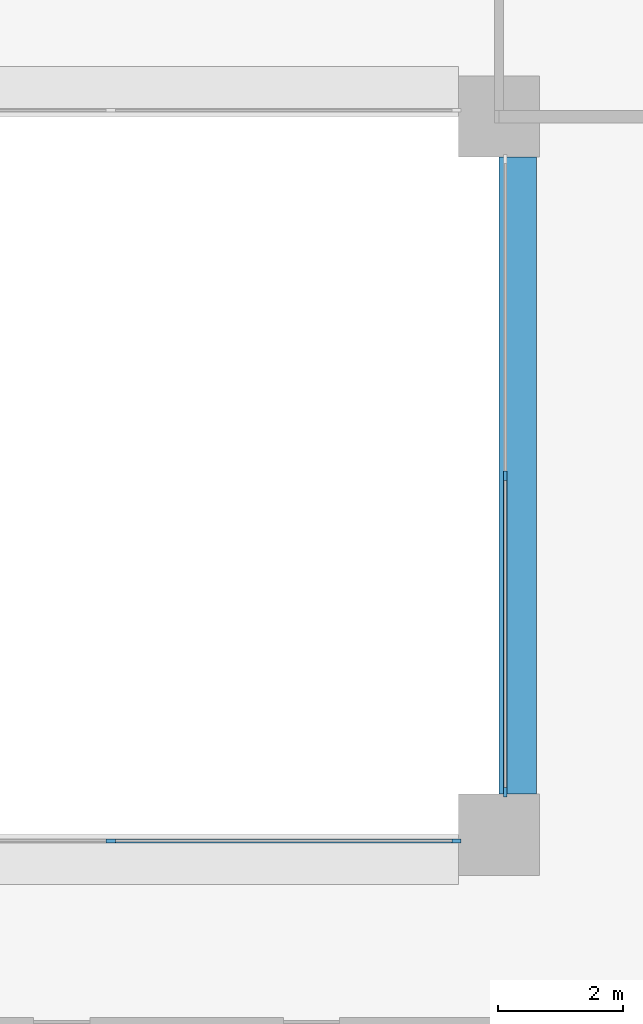
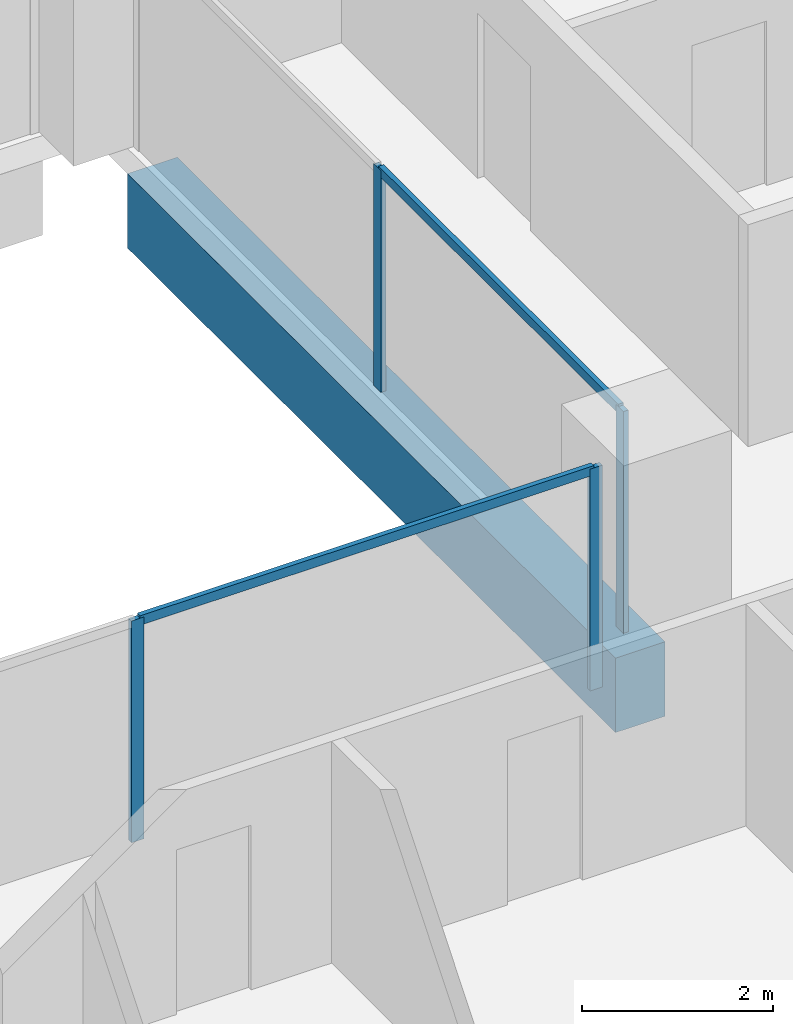
# One storey, part 4 of 16: 6 members, 1 beam, 2 elements without a shape of their own.
"""IFC4 building model written with IfcOpenShell, lengths in metres."""

from ifc_helpers import new_model, si_unit, direction, frame, origin, origin_2d, place, context, subcontext, project, spatial, rectangle, extrude, material, layer, layer_set, material_profile, profile_set, type_object, element, aggregate, save


model = new_model("IFC4")

# Units and contexts
model_context = context("Model", 3, precision=1e-05, world=origin(), true_north=direction((0.0, 1.0)))
body_context = subcontext(model_context, "Body", "Model", "MODEL_VIEW")
ifc_project = project(units=[si_unit("LENGTHUNIT", "METRE"), si_unit("AREAUNIT", "SQUARE_METRE"), si_unit("VOLUMEUNIT", "CUBIC_METRE"), si_unit("PLANEANGLEUNIT", "RADIAN"), si_unit("MASSUNIT", "GRAM", prefix="KILO")], contexts=[model_context])

# Site, building, storey
site_placement = place(None, origin())
site = spatial("IfcSite", under=ifc_project, at=site_placement, CompositionType="ELEMENT")
building_placement = place(site_placement, origin())
building = spatial("IfcBuilding", under=site, at=building_placement, Name="Brigalow Station Residences", CompositionType="ELEMENT")
storey_placement = place(building_placement, frame((0.0, 0.0, 108.75)))
storey = spatial("IfcBuildingStorey", under=building, at=storey_placement, Name="L31", CompositionType="ELEMENT", Elevation=108.75)

# Beam
ifc_material_1 = material(Name="Concrete C65", Category="concrete")
ifc_material_profile_1 = material_profile(ifc_material_1, rectangle(XDim=0.60009765625, YDim=0.949951171875, at=origin_2d()), Name="RC600x950")
ifc_profile_set_1 = profile_set([ifc_material_profile_1], Name="Concrete C65")
beam_type = type_object("IfcBeamType", Name="ATRIUM EDGE GIRDER 600x950 C65", PredefinedType="BEAM", material=ifc_profile_set_1)
beam_placement = place(storey_placement, frame((45.300048828125, 24.64990234375, -0.794921875), z_axis=(0.0, 1.0, 0.0), x_axis=(-1.0, 0.0, 0.0)))
element("IfcBeam", 1, at=beam_placement, inside=storey, type_object=beam_type, Name="ATRIUM EDGE GIRDER 5 L31", PredefinedType="BEAM", context=body_context, shape_type="SweptSolid", body=[
    extrude(rectangle(XDim=0.60009765625, YDim=0.949951171875, at=origin_2d()), origin(), (0.0, 0.0, 1.0), 10.2001953125),
])

# Curtain wall, members
ifc_material_2 = material(Name="Aluminium", Category="aluminium")
ifc_layer = layer(ifc_material_2, 0.14990234375)
ifc_layer_set = layer_set([ifc_layer], Name="ATRIUM FIRE-RATED GLAZING CURTAIN WALL")
curtain_wall_type = type_object("IfcCurtainWallType", Name="ATRIUM FIRE-RATED GLAZING CURTAIN WALL", PredefinedType="NOTDEFINED", material=ifc_layer_set)
curtain_wall_1_placement = place(storey_placement, origin())
curtain_wall_1 = element("IfcCurtainWall", 2, at=curtain_wall_1_placement, inside=storey, type_object=curtain_wall_type, Name="L31/cw/atrium-S", PredefinedType="NOTDEFINED")
ifc_material_3 = material(Name="Aluminium", Category="aluminium")
ifc_material_profile_2 = material_profile(ifc_material_3, rectangle(XDim=0.06005859375, YDim=0.14990234375, at=origin_2d()), Name="ATRIUM FIRE-RATED GLAZING MULLION 60x150")
ifc_profile_set_2 = profile_set([ifc_material_profile_2], Name="Aluminium")
member_type_1 = type_object("IfcMemberType", Name="ATRIUM FIRE-RATED GLAZING MULLION 60x150", PredefinedType="MULLION", material=ifc_profile_set_2)
member_1_placement = place(storey_placement, frame((38.783203125, 23.89990234375, 0.0), z_axis=(0.0, 0.0, 1.0), x_axis=(0.0, 1.0, 0.0)))
member_1 = element("IfcMember", 3, at=member_1_placement, type_object=member_type_1, Name="L31/cw/atrium-S/M02", PredefinedType="MULLION", context=body_context, shape_type="SweptSolid", body=[
    extrude(rectangle(XDim=0.06005859375, YDim=0.14990234375, at=origin_2d()), origin(), (0.0, 0.0, 1.0), 2.830078125),
])
member_2_placement = place(storey_placement, frame((44.320068359375, 23.89990234375, 0.0), z_axis=(0.0, 0.0, 1.0), x_axis=(0.0, 1.0, 0.0)))
member_2 = element("IfcMember", 4, at=member_2_placement, type_object=member_type_1, Name="L31/cw/atrium-S/M03", PredefinedType="MULLION", context=body_context, shape_type="SweptSolid", body=[
    extrude(rectangle(XDim=0.06005859375, YDim=0.14990234375, at=origin_2d()), origin(), (0.0, 0.0, 1.0), 2.830078125),
])

curtain_wall_2_placement = place(storey_placement, origin())
curtain_wall_2 = element("IfcCurtainWall", 5, at=curtain_wall_2_placement, inside=storey, type_object=curtain_wall_type, Name="L31/cw/atrium-E", PredefinedType="NOTDEFINED")
member_3_placement = place(storey_placement, frame((45.10009765625, 24.679931640625, 0.0), z_axis=(0.0, 0.0, 1.0), x_axis=(-1.0, 0.0, 0.0)))
member_3 = element("IfcMember", 6, at=member_3_placement, type_object=member_type_1, Name="L31/cw/atrium-E/M00", PredefinedType="MULLION", context=body_context, shape_type="SweptSolid", body=[
    extrude(rectangle(XDim=0.06005859375, YDim=0.14990234375, at=origin_2d()), origin(), (0.0, 0.0, 1.0), 2.830078125),
])
member_4_placement = place(storey_placement, frame((45.10009765625, 29.75, 0.0), z_axis=(0.0, 0.0, 1.0), x_axis=(-1.0, 0.0, 0.0)))
member_4 = element("IfcMember", 7, at=member_4_placement, type_object=member_type_1, Name="L31/cw/atrium-E/M01", PredefinedType="MULLION", context=body_context, shape_type="SweptSolid", body=[
    extrude(rectangle(XDim=0.06005859375, YDim=0.14990234375, at=origin_2d()), origin(), (0.0, 0.0, 1.0), 2.830078125),
])

# Member
ifc_material_4 = material(Name="Aluminium", Category="aluminium")
ifc_material_profile_3 = material_profile(ifc_material_4, rectangle(XDim=0.06005859375, YDim=0.1201171875, at=origin_2d()), Name="ATRIUM FIRE-RATED GLAZING TRANSOM 60x120")
ifc_profile_set_3 = profile_set([ifc_material_profile_3], Name="Aluminium")
member_type_2 = type_object("IfcMemberType", Name="ATRIUM FIRE-RATED GLAZING TRANSOM 60x120", PredefinedType="USERDEFINED", material=ifc_profile_set_3)
member_5_placement = place(storey_placement, frame((38.813232421875, 23.89990234375, 2.800048828125), z_axis=(1.0, 0.0, 0.0), x_axis=(0.0, 1.0, 0.0)))
member_5 = element("IfcMember", 8, at=member_5_placement, type_object=member_type_2, Name="L31/cw/atrium-S/T02-00", ObjectType="TRANSOM", PredefinedType="USERDEFINED", context=body_context, shape_type="SweptSolid", body=[
    extrude(rectangle(XDim=0.06005859375, YDim=0.1201171875, at=origin_2d()), origin(), (0.0, 0.0, 1.0), 5.476806640625),
])

aggregate(curtain_wall_1, [member_1, member_2, member_5])

member_6_placement = place(storey_placement, frame((45.10009765625, 24.7099609375, 2.800048828125), z_axis=(0.0, 1.0, 0.0), x_axis=(-1.0, 0.0, 0.0)))
member_6 = element("IfcMember", 9, at=member_6_placement, type_object=member_type_2, Name="L31/cw/atrium-E/T00-00", ObjectType="TRANSOM", PredefinedType="USERDEFINED", context=body_context, shape_type="SweptSolid", body=[
    extrude(rectangle(XDim=0.06005859375, YDim=0.1201171875, at=origin_2d()), origin(), (0.0, 0.0, 1.0), 5.010009765625),
])

aggregate(curtain_wall_2, [member_3, member_4, member_6])

save(model, "model.ifc")
